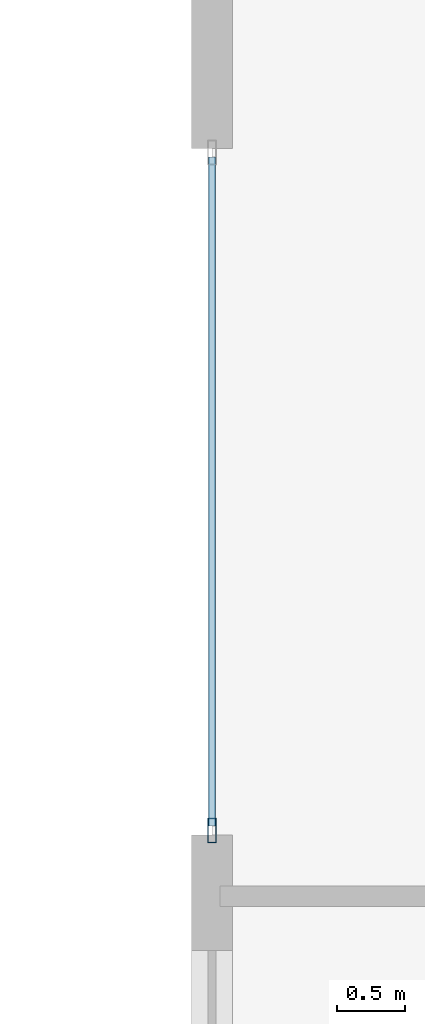
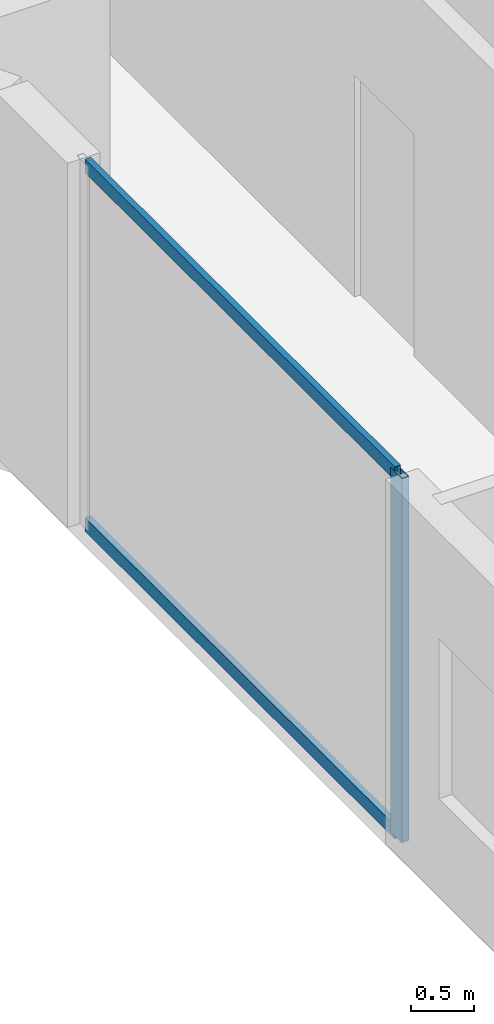
# One storey, part 4 of 32: 3 members, 1 element without a shape of its own.
"""IFC4 building model written with IfcOpenShell, lengths in metres."""

from ifc_helpers import new_model, si_unit, direction, frame, origin, origin_2d, place, context, subcontext, project, spatial, hollow_rectangle, extrude, material, layer, layer_set, material_profile, profile_set, type_object, element, aggregate, save


model = new_model("IFC4")

# Units and contexts
model_context = context("Model", 3, precision=1e-05, world=origin(), true_north=direction((0.0, 1.0)))
body_context = subcontext(model_context, "Body", "Model", "MODEL_VIEW")
ifc_project = project(units=[si_unit("LENGTHUNIT", "METRE"), si_unit("AREAUNIT", "SQUARE_METRE"), si_unit("VOLUMEUNIT", "CUBIC_METRE"), si_unit("PLANEANGLEUNIT", "RADIAN"), si_unit("MASSUNIT", "GRAM", prefix="KILO")], contexts=[model_context])

# Site, building, storey
site_placement = place(None, origin())
site = spatial("IfcSite", under=ifc_project, at=site_placement, CompositionType="ELEMENT")
building_placement = place(site_placement, origin())
building = spatial("IfcBuilding", under=site, at=building_placement, Name="Zuhayl Quay Hotel", CompositionType="ELEMENT")
storey_placement = place(building_placement, frame((0.0, 0.0, 181.14990234375)))
storey = spatial("IfcBuildingStorey", under=building, at=storey_placement, Name="L45", CompositionType="ELEMENT", Elevation=181.14990234375)

# Curtain wall, members
ifc_material_1 = material(Name="Anodised Aluminium 6063-T6", Category="aluminium")
ifc_layer = layer(ifc_material_1, 0.175048828125, Name="Anodised Aluminium 6063-T6", Category="aluminium")
ifc_layer_set = layer_set([ifc_layer], Name="Anodised Aluminium 6063-T6")
curtain_wall_type = type_object("IfcCurtainWallType", Name="CW_SYS_Z3", PredefinedType="USERDEFINED", material=ifc_layer_set)
curtain_wall_placement = place(storey_placement, origin())
curtain_wall = element("IfcCurtainWall", 1, at=curtain_wall_placement, inside=storey, type_object=curtain_wall_type, Name="L45 Curtain Wall ENV_L45_E02_CW1", ObjectType="UNITISED CURTAIN WALL", PredefinedType="USERDEFINED")
ifc_material_2 = material(Name="Black-anodised aluminium 6063-T6", Category="aluminium")
ifc_material_profile_1 = material_profile(ifc_material_2, hollow_rectangle(XDim=0.06494140625, YDim=0.179931640625, WallThickness=0.00341796875, at=origin_2d()), Name="ALU180X65")
ifc_profile_set_1 = profile_set([ifc_material_profile_1], Name="Black-anodised aluminium 6063-T6")
member_type_1 = type_object("IfcMemberType", Name="MB_CW_MUL_180", PredefinedType="MULLION", material=ifc_profile_set_1)
member_1_placement = place(storey_placement, frame((-22.10009765625, 2.032470703125, 0.0), z_axis=(0.0, 0.0, 1.0), x_axis=(-1.0, 0.0, 0.0)))
member_1 = element("IfcMember", 2, at=member_1_placement, type_object=member_type_1, Name="CW-Z3 mullion 1", PredefinedType="MULLION", context=body_context, shape_type="SweptSolid", body=[
    extrude(hollow_rectangle(XDim=0.06494140625, YDim=0.179931640625, WallThickness=0.00341796875, at=origin_2d()), origin(), (0.0, 0.0, 1.0), 3.530029296875),
])
ifc_material_profile_2 = material_profile(ifc_material_2, hollow_rectangle(XDim=0.054931640625, YDim=0.1298828125, WallThickness=0.0029296875, at=origin_2d()), Name="ALU130X55")
ifc_profile_set_2 = profile_set([ifc_material_profile_2], Name="Black-anodised aluminium 6063-T6")
member_type_2 = type_object("IfcMemberType", Name="MB_CW_TRN_130", PredefinedType="USERDEFINED", material=ifc_profile_set_2)
member_2_placement = place(storey_placement, frame((-22.10009765625, 2.06494140625, 0.027587890625), z_axis=(0.0, 1.0, 0.0), x_axis=(-1.0, 0.0, 0.0)))
member_2 = element("IfcMember", 3, at=member_2_placement, type_object=member_type_2, Name="CW-Z3 transom 1.1", ObjectType="TRANSOM", PredefinedType="USERDEFINED", context=body_context, shape_type="SweptSolid", body=[
    extrude(hollow_rectangle(XDim=0.054931640625, YDim=0.1298828125, WallThickness=0.0029296875, at=origin_2d()), origin(), (0.0, 0.0, 1.0), 4.920166015625),
])
member_3_placement = place(storey_placement, frame((-22.10009765625, 2.06494140625, 3.502685546875), z_axis=(0.0, 1.0, 0.0), x_axis=(-1.0, 0.0, 0.0)))
member_3 = element("IfcMember", 4, at=member_3_placement, type_object=member_type_2, Name="CW-Z3 transom 1.2", ObjectType="TRANSOM", PredefinedType="USERDEFINED", context=body_context, shape_type="SweptSolid", body=[
    extrude(hollow_rectangle(XDim=0.054931640625, YDim=0.1298828125, WallThickness=0.0029296875, at=origin_2d()), origin(), (0.0, 0.0, 1.0), 4.920166015625),
])
aggregate(curtain_wall, [member_1, member_2, member_3])

save(model, "model.ifc")
